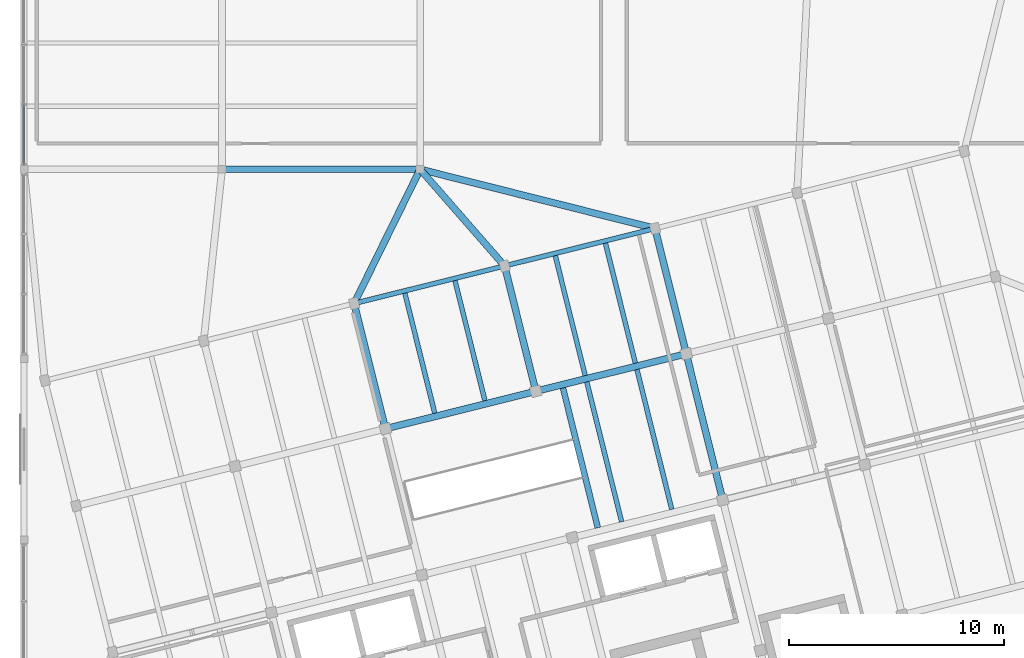
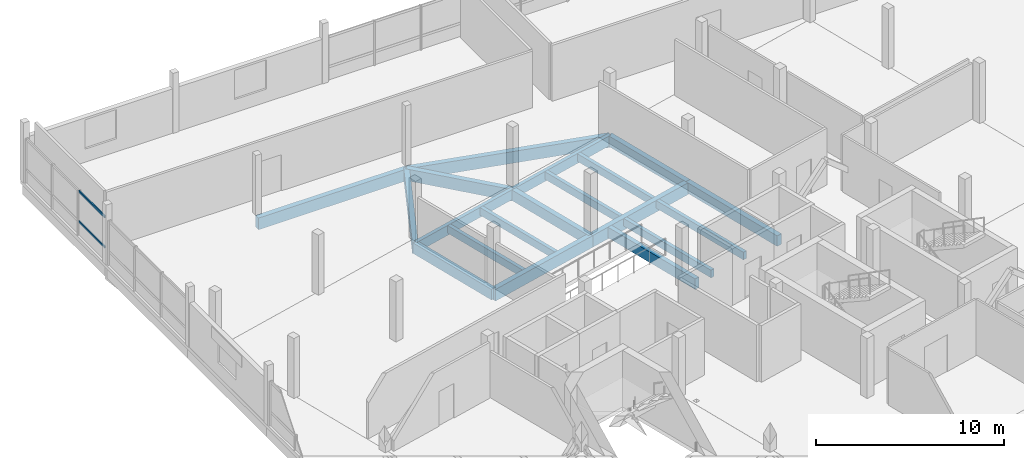
# One storey, part 25 of 39: 19 beams, 2 members, 1 element without a shape of its own.
"""IFC4 building model written with IfcOpenShell, lengths in metres."""

from ifc_helpers import new_model, si_unit, direction, frame, origin, origin_2d, place, context, subcontext, project, spatial, rectangle, hollow_rectangle, extrude, material, layer, layer_set, material_profile, profile_set, type_object, element, aggregate, save


model = new_model("IFC4")

# Units and contexts
model_context = context("Model", 3, precision=1e-05, world=origin(), true_north=direction((0.0, 1.0)))
body_context = subcontext(model_context, "Body", "Model", "MODEL_VIEW")
ifc_project = project(units=[si_unit("LENGTHUNIT", "METRE"), si_unit("AREAUNIT", "SQUARE_METRE"), si_unit("VOLUMEUNIT", "CUBIC_METRE"), si_unit("PLANEANGLEUNIT", "RADIAN"), si_unit("MASSUNIT", "GRAM", prefix="KILO")], contexts=[model_context])

# Site, building, storey
site_placement = place(None, origin())
site = spatial("IfcSite", under=ifc_project, at=site_placement, CompositionType="ELEMENT")
building_placement = place(site_placement, origin())
building = spatial("IfcBuilding", under=site, at=building_placement, Name="Meriwether Solvik Hall", CompositionType="ELEMENT")
storey_placement = place(building_placement, frame((0.0, 0.0, 22.199951171875)))
storey = spatial("IfcBuildingStorey", under=building, at=storey_placement, Name="L05", CompositionType="ELEMENT", Elevation=22.199951171875)

# Beams
ifc_material_1 = material(Name="Glulam Douglas-Fir 24F-V8 GL28h", Category="wood")
ifc_material_profile_1 = material_profile(ifc_material_1, rectangle(XDim=0.221923828125, YDim=0.64501953125, at=origin_2d()), Name="GLB-222X645")
ifc_profile_set_1 = profile_set([ifc_material_profile_1], Name="Glulam Douglas-Fir 24F-V8 GL28h")
beam_type_1 = type_object("IfcBeamType", Name="BM-GL-222X645", PredefinedType="SPANDREL", material=ifc_profile_set_1)
for number, where, z_axis, x_axis, name in (
    (1, (74.735107421875, 77.7705078125, -0.5673828125), (0.970291911955, 0.241937193493, 0.0), (-0.241937193493, 0.970291911955, 0.0), "Tower Girder TF:T3-T4 (L05)"),
    (2, (81.72119140625, 79.512451171875, -0.5673828125), (0.970299871507, 0.241905269381, 0.0), (-0.241905269381, 0.970299871507, 0.0), "Tower Girder TF:T4-T5 (L05)"),
):
    element("IfcBeam", number, at=place(storey_placement, frame(where, z_axis=z_axis, x_axis=x_axis)), inside=storey, type_object=beam_type_1, Name=name, PredefinedType="SPANDREL", context=body_context, shape_type="SweptSolid", body=[
        extrude(rectangle(XDim=0.221923828125, YDim=0.64501953125, at=origin_2d()), origin(), (0.0, 0.0, 1.0), 7.199951171875),
    ])
ifc_material_2 = material(Name="Glulam Douglas-Fir 24F-V8 GL28h", Category="wood")
ifc_material_profile_2 = material_profile(ifc_material_2, rectangle(XDim=0.27294921875, YDim=0.68505859375, at=origin_2d()), Name="GLB-273X685")
ifc_profile_set_2 = profile_set([ifc_material_profile_2], Name="Glulam Douglas-Fir 24F-V8 GL28h")
beam_type_2 = type_object("IfcBeamType", Name="BM-GL-273X685", PredefinedType="BEAM", material=ifc_profile_set_2)
beam_1_placement = place(storey_placement, frame((86.05126953125, 67.353759765625, -0.58740234375), z_axis=(-0.241917328066, 0.970296865079, 0.0), x_axis=(-0.970296865079, -0.241917328066, 0.0)))
element("IfcBeam", 3, at=beam_1_placement, inside=storey, type_object=beam_type_2, Name="Stair ST-ED2 Top Trimmer Beam", PredefinedType="BEAM", context=body_context, shape_type="SweptSolid", body=[
    extrude(rectangle(XDim=0.27294921875, YDim=0.68505859375, at=origin_2d()), origin(), (0.0, 0.0, 1.0), 6.68994140625),
])
ifc_material_3 = material(Name="Glulam Douglas-Fir 24F-V8 GL28h", Category="wood")
ifc_material_profile_3 = material_profile(ifc_material_3, rectangle(XDim=0.31494140625, YDim=0.68505859375, at=origin_2d()), Name="GLB-315X685")
ifc_profile_set_3 = profile_set([ifc_material_profile_3], Name="Glulam Douglas-Fir 24F-V8 GL28h")
beam_type_3 = type_object("IfcBeamType", Name="BM-GL-315X685", PredefinedType="BEAM", material=ifc_profile_set_3)
for number, where, z_axis, x_axis, name in (
    (4, (76.1865234375, 71.94873046875, -0.58740234375), (-0.241903677572, 0.970300268359, 0.0), (-0.970300268359, -0.241903677572, 0.0), "Tower Girder T3:TE-TF (L05)"),
    (5, (83.172607421875, 73.690673828125, -0.58740234375), (-0.241903677572, 0.970300268359, 0.0), (-0.970300268359, -0.241903677572, 0.0), "Tower Girder T4:TE-TF (L05)"),
):
    element("IfcBeam", number, at=place(storey_placement, frame(where, z_axis=z_axis, x_axis=x_axis)), inside=storey, type_object=beam_type_3, Name=name, PredefinedType="BEAM", context=body_context, shape_type="SweptSolid", body=[
        extrude(rectangle(XDim=0.31494140625, YDim=0.68505859375, at=origin_2d()), origin(), (0.0, 0.0, 1.0), 6.0),
    ])
beam_2_placement = place(storey_placement, frame((91.852294921875, 68.640380859375, -0.58740234375), z_axis=(-0.241911879182, 0.970298223594, 0.0), x_axis=(-0.970298223594, -0.241911879182, 0.0)))
element("IfcBeam", 6, at=beam_2_placement, inside=storey, type_object=beam_type_3, Name="Tower Girder T5:TD-TE (L05)", PredefinedType="BEAM", context=body_context, shape_type="SweptSolid", body=[
    extrude(rectangle(XDim=0.31494140625, YDim=0.68505859375, at=origin_2d()), origin(), (0.0, 0.0, 1.0), 7.0),
])
beam_3_placement = place(storey_placement, frame((90.158935546875, 75.432373046875, -0.58740234375), z_axis=(-0.241941986192, 0.970290716908, 0.0), x_axis=(-0.970290716908, -0.241941986192, 0.0)))
element("IfcBeam", 7, at=beam_3_placement, inside=storey, type_object=beam_type_3, Name="Tower Girder T5:TE-TF (L05)", PredefinedType="BEAM", context=body_context, shape_type="SweptSolid", body=[
    extrude(rectangle(XDim=0.31494140625, YDim=0.68505859375, at=origin_2d()), origin(), (0.0, 0.0, 1.0), 6.0),
])
ifc_material_4 = material(Name="Glulam Douglas-Fir 24F-V8 GL28h", Category="wood")
ifc_material_profile_4 = material_profile(ifc_material_4, rectangle(XDim=0.31494140625, YDim=0.760009765625, at=origin_2d()), Name="GLB-315X760")
ifc_profile_set_4 = profile_set([ifc_material_profile_4], Name="Glulam Douglas-Fir 24F-V8 GL28h")
beam_type_4 = type_object("IfcBeamType", Name="BM-GL-315X760", PredefinedType="BEAM", material=ifc_profile_set_4)
beam_4_placement = place(storey_placement, frame((68.60009765625, 84.0, -0.625), z_axis=(1.0, 0.0, 0.0), x_axis=(0.0, 1.0, 0.0)))
element("IfcBeam", 8, at=beam_4_placement, inside=storey, type_object=beam_type_4, Name="Podium Girder J:8-9 (L05)", PredefinedType="BEAM", context=body_context, shape_type="SweptSolid", body=[
    extrude(rectangle(XDim=0.31494140625, YDim=0.760009765625, at=origin_2d()), origin(), (0.0, 0.0, 1.0), 9.199951171875),
])
beam_5_placement = place(storey_placement, frame((74.735107421875, 77.7705078125, -0.625), z_axis=(0.44146540955, 0.897278269084, 0.0), x_axis=(-0.897278269084, 0.44146540955, 0.0)))
element("IfcBeam", 9, at=beam_5_placement, inside=storey, type_object=beam_type_4, Name="Diaphragm Collector Girder T3/TF-9/J (L05)", PredefinedType="BEAM", context=body_context, shape_type="SweptSolid", body=[
    extrude(rectangle(XDim=0.31494140625, YDim=0.760009765625, at=origin_2d()), origin(), (0.0, 0.0, 1.0), 6.942626953125),
])
beam_6_placement = place(storey_placement, frame((81.72119140625, 79.512451171875, -0.625), z_axis=(-0.657985282871, 0.7530307879, 0.0), x_axis=(-0.7530307879, -0.657985282871, 0.0)))
element("IfcBeam", 10, at=beam_6_placement, inside=storey, type_object=beam_type_4, Name="Diaphragm Collector Girder T4/TF-9/J (L05)", PredefinedType="BEAM", context=body_context, shape_type="SweptSolid", body=[
    extrude(rectangle(XDim=0.31494140625, YDim=0.760009765625, at=origin_2d()), origin(), (0.0, 0.0, 1.0), 5.959228515625),
])
beam_7_placement = place(storey_placement, frame((88.707275390625, 81.254150390625, -0.625), z_axis=(-0.969742820247, 0.244128782776, 0.0), x_axis=(-0.244128782776, -0.969742820247, 0.0)))
element("IfcBeam", 11, at=beam_7_placement, inside=storey, type_object=beam_type_4, Name="Diaphragm Collector Girder T5/TF-9/J (L05)", PredefinedType="BEAM", context=body_context, shape_type="SweptSolid", body=[
    extrude(rectangle(XDim=0.31494140625, YDim=0.760009765625, at=origin_2d()), origin(), (0.0, 0.0, 1.0), 11.24755859375),
])
beam_8_placement = place(storey_placement, frame((76.1865234375, 71.94873046875, -0.625), z_axis=(0.970291911955, 0.241937193493, 0.0), x_axis=(-0.241937193493, 0.970291911955, 0.0)))
element("IfcBeam", 12, at=beam_8_placement, inside=storey, type_object=beam_type_4, Name="Tower Girder TE:T3-T4 (L05)", PredefinedType="BEAM", context=body_context, shape_type="SweptSolid", body=[
    extrude(rectangle(XDim=0.31494140625, YDim=0.760009765625, at=origin_2d()), origin(), (0.0, 0.0, 1.0), 7.199951171875),
])
beam_9_placement = place(storey_placement, frame((83.172607421875, 73.690673828125, -0.625), z_axis=(0.970301855688, 0.241897310542, 0.0), x_axis=(-0.241897310542, 0.970301855688, 0.0)))
element("IfcBeam", 13, at=beam_9_placement, inside=storey, type_object=beam_type_4, Name="Tower Girder TE:T4-T5 (L05)", PredefinedType="BEAM", context=body_context, shape_type="SweptSolid", body=[
    extrude(rectangle(XDim=0.31494140625, YDim=0.760009765625, at=origin_2d()), origin(), (0.0, 0.0, 1.0), 7.2001953125),
])

# Curtain wall, members
ifc_material_5 = material(Name="Thermally Broken Anodised Aluminium 6063-T6 and Low-E Glass", Category="aluminium")
ifc_layer = layer(ifc_material_5, 0.179931640625)
ifc_layer_set = layer_set([ifc_layer], Name="Thermally Broken Anodised Aluminium 6063-T6 and Low-E Glass")
curtain_wall_type = type_object("IfcCurtainWallType", Name="CW-UNIT-E", PredefinedType="USERDEFINED", material=ifc_layer_set)
curtain_wall_placement = place(storey_placement, origin())
curtain_wall = element("IfcCurtainWall", 14, at=curtain_wall_placement, inside=storey, type_object=curtain_wall_type, Name="Curtain Wall wing_Y7_10_17 (L05)", ObjectType="UNITISED CURTAIN WALL", PredefinedType="USERDEFINED")
ifc_material_6 = material(Name="Anodised Aluminium 6063-T6", Category="aluminium")
ifc_material_profile_5 = material_profile(ifc_material_6, hollow_rectangle(XDim=0.070068359375, YDim=0.14990234375, WallThickness=0.0048828125, at=origin_2d()), Name="CWT-70X150")
ifc_profile_set_5 = profile_set([ifc_material_profile_5], Name="Anodised Aluminium 6063-T6")
member_type = type_object("IfcMemberType", Name="CW-TRN-70X150", PredefinedType="USERDEFINED", material=ifc_profile_set_5)
member_1_placement = place(storey_placement, frame((59.39990234375, 84.232421875, 0.864013671875), z_axis=(0.0, 1.0, 0.0), x_axis=(-1.0, 0.0, 0.0)))
member_1 = element("IfcMember", 15, at=member_1_placement, type_object=member_type, Name="Curtain Wall Transom 1-sill", ObjectType="TRANSOM", PredefinedType="USERDEFINED", context=body_context, shape_type="SweptSolid", body=[
    extrude(hollow_rectangle(XDim=0.070068359375, YDim=0.14990234375, WallThickness=0.0048828125, at=origin_2d()), origin(), (0.0, 0.0, 1.0), 2.765869140625),
])
member_2_placement = place(storey_placement, frame((59.39990234375, 84.232421875, 2.820068359375), z_axis=(0.0, 1.0, 0.0), x_axis=(-1.0, 0.0, 0.0)))
member_2 = element("IfcMember", 16, at=member_2_placement, type_object=member_type, Name="Curtain Wall Transom 1-head", ObjectType="TRANSOM", PredefinedType="USERDEFINED", context=body_context, shape_type="SweptSolid", body=[
    extrude(hollow_rectangle(XDim=0.070068359375, YDim=0.14990234375, WallThickness=0.0048828125, at=origin_2d()), origin(), (0.0, 0.0, 1.0), 2.765869140625),
])
aggregate(curtain_wall, [member_1, member_2])

# Beams
ifc_material_7 = material(Name="Glulam Douglas-Fir 24F-V8 GL28h", Category="wood")
ifc_material_profile_6 = material_profile(ifc_material_7, rectangle(XDim=0.221923828125, YDim=0.4951171875, at=origin_2d()), Name="GLJ-222X495")
ifc_profile_set_6 = profile_set([ifc_material_profile_6], Name="Glulam Douglas-Fir 24F-V8 GL28h")
beam_type_5 = type_object("IfcBeamType", Name="JST-GL-222X495", PredefinedType="JOIST", material=ifc_profile_set_6)
for number, where, z_axis, x_axis, name in (
    (17, (78.478271484375, 72.67724609375, -0.492431640625), (-0.241905253991, 0.970299875343, 0.0), (-0.970299875343, -0.241905253991, 0.0), "Glulam Floor Joist T3/TE-J1 (L05)"),
    (18, (80.80712890625, 73.2578125, -0.492431640625), (-0.241905253991, 0.970299875343, 0.0), (-0.970299875343, -0.241905253991, 0.0), "Glulam Floor Joist T3/TE-J2 (L05)"),
):
    element("IfcBeam", number, at=place(storey_placement, frame(where, z_axis=z_axis, x_axis=x_axis)), inside=storey, type_object=beam_type_5, Name=name, PredefinedType="JOIST", context=body_context, shape_type="SweptSolid", body=[
        extrude(rectangle(XDim=0.221923828125, YDim=0.4951171875, at=origin_2d()), origin(), (0.0, 0.0, 1.0), 5.741455078125),
    ])
beam_10_placement = place(storey_placement, frame((87.157958984375, 67.626953125, -0.492431640625), z_axis=(-0.241909233393, 0.970298883231, 0.0), x_axis=(-0.970298883231, -0.241909233393, 0.0)))
element("IfcBeam", 19, at=beam_10_placement, inside=storey, type_object=beam_type_5, Name="Glulam Floor Joist T4/TD-J1 (L05)", PredefinedType="JOIST", context=body_context, shape_type="SweptSolid", body=[
    extrude(rectangle(XDim=0.221923828125, YDim=0.4951171875, at=origin_2d()), origin(), (0.0, 0.0, 1.0), 6.6953125),
])
beam_11_placement = place(storey_placement, frame((89.486572265625, 68.207763671875, -0.492431640625), z_axis=(-0.241917792922, 0.970296749179, 0.0), x_axis=(-0.970296749179, -0.241917792922, 0.0)))
element("IfcBeam", 20, at=beam_11_placement, inside=storey, type_object=beam_type_5, Name="Glulam Floor Joist T4/TD-J2 (L05)", PredefinedType="JOIST", context=body_context, shape_type="SweptSolid", body=[
    extrude(rectangle(XDim=0.221923828125, YDim=0.4951171875, at=origin_2d()), origin(), (0.0, 0.0, 1.0), 6.695068359375),
])
for number, where, z_axis, x_axis, name in (
    (21, (85.464599609375, 74.419189453125, -0.492431640625), (-0.241955269204, 0.970287404692, 0.0), (-0.970287404692, -0.241955269204, 0.0), "Glulam Floor Joist T4/TE-J1 (L05)"),
    (22, (87.793212890625, 74.999755859375, -0.492431640625), (-0.241905253991, 0.970299875343, 0.0), (-0.970299875343, -0.241905253991, 0.0), "Glulam Floor Joist T4/TE-J2 (L05)"),
):
    element("IfcBeam", number, at=place(storey_placement, frame(where, z_axis=z_axis, x_axis=x_axis)), inside=storey, type_object=beam_type_5, Name=name, PredefinedType="JOIST", context=body_context, shape_type="SweptSolid", body=[
        extrude(rectangle(XDim=0.221923828125, YDim=0.4951171875, at=origin_2d()), origin(), (0.0, 0.0, 1.0), 5.741455078125),
    ])

save(model, "model.ifc")
